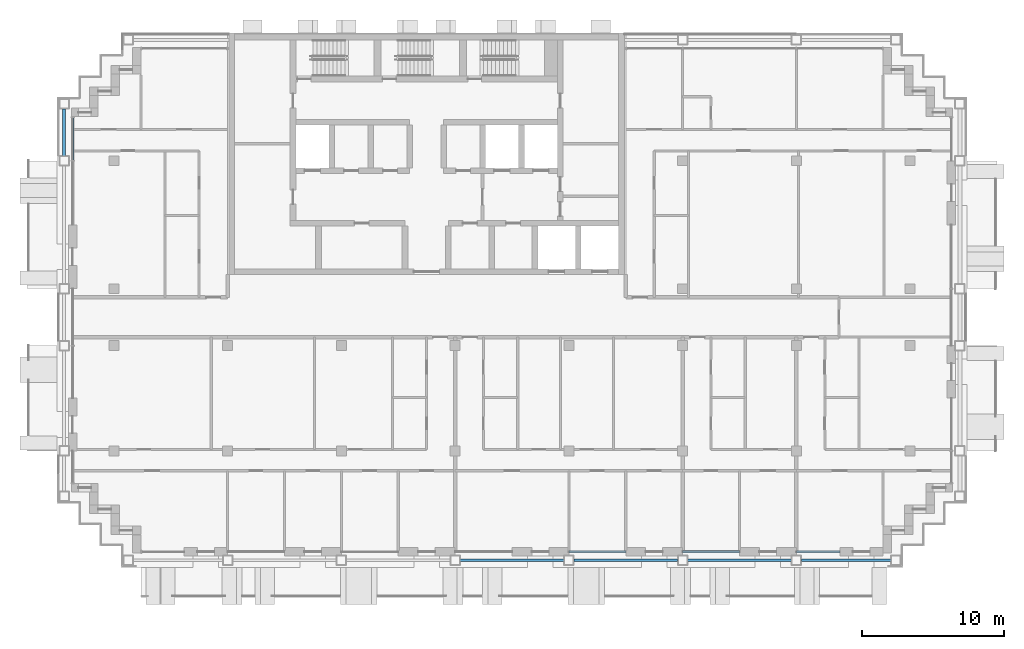
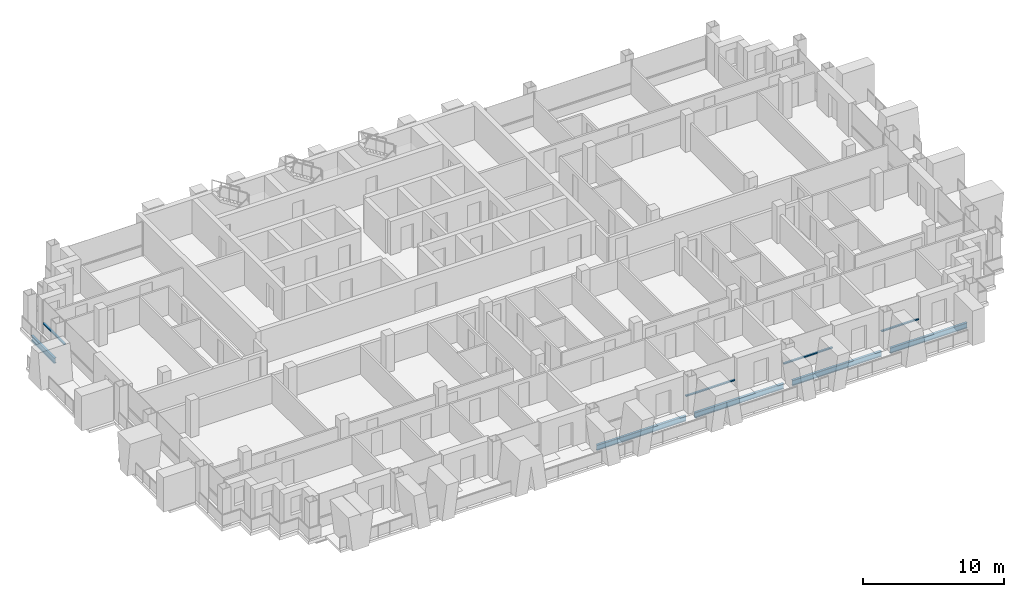
# One storey, part 3 of 16: 5 beams, 4 members, 4 elements without a shape of their own.
"""IFC4 building model written with IfcOpenShell, lengths in metres."""

from ifc_helpers import new_model, si_unit, direction, frame, origin, origin_2d, place, context, subcontext, project, spatial, rectangle, i_section, extrude, material, material_profile, profile_set, type_object, element, aggregate, save


model = new_model("IFC4")

# Units and contexts
model_context = context("Model", 3, precision=1e-05, world=origin(), true_north=direction((0.0, 1.0)))
body_context = subcontext(model_context, "Body", "Model", "MODEL_VIEW")
ifc_project = project(units=[si_unit("LENGTHUNIT", "METRE"), si_unit("AREAUNIT", "SQUARE_METRE"), si_unit("VOLUMEUNIT", "CUBIC_METRE"), si_unit("PLANEANGLEUNIT", "RADIAN"), si_unit("MASSUNIT", "GRAM", prefix="KILO")], contexts=[model_context])

# Site, building, storey
site_placement = place(None, origin())
site = spatial("IfcSite", under=ifc_project, at=site_placement, CompositionType="ELEMENT")
building_placement = place(site_placement, origin())
building = spatial("IfcBuilding", under=site, at=building_placement, Name="Vidyagriha Tower", CompositionType="ELEMENT")
storey_placement = place(building_placement, frame((0.0, 0.0, 174.89990234375)))
storey = spatial("IfcBuildingStorey", under=building, at=storey_placement, Name="L45", CompositionType="ELEMENT", Elevation=174.89990234375)

# Beams
ifc_material_1 = material(Name="Steel ASTM A992 Grade 50", Category="steel")
ifc_material_profile_1 = material_profile(ifc_material_1, i_section(OverallWidth=0.19189453125, OverallDepth=0.46240234375, WebThickness=0.010498046875, FlangeThickness=0.017578125, at=origin_2d()), Name="W18X60")
ifc_profile_set_1 = profile_set([ifc_material_profile_1], Name="Steel ASTM A992 Grade 50")
beam_type = type_object("IfcBeamType", Name="Edge beam W18X60", PredefinedType="SPANDREL", material=ifc_profile_set_1)
for number, where, z_axis, x_axis, name in (
    (1, (2.35009765625, -17.10009765625, -0.510986328125), (1.0, 0.0, 0.0), (0.0, 1.0, 0.0), "st-beam-L45-S04"),
    (2, (10.35009765625, -17.10009765625, -0.510986328125), (1.0, 0.0, 0.0), (0.0, 1.0, 0.0), "st-beam-L45-S05"),
    (3, (18.35009765625, -17.10009765625, -0.510986328125), (1.0, 0.0, 0.0), (0.0, 1.0, 0.0), "st-beam-L45-S06"),
):
    element("IfcBeam", number, at=place(storey_placement, frame(where, z_axis=z_axis, x_axis=x_axis)), inside=storey, type_object=beam_type, Name=name, PredefinedType="SPANDREL", context=body_context, shape_type="SweptSolid", body=[
        extrude(i_section(OverallWidth=0.19189453125, OverallDepth=0.46240234375, WebThickness=0.010498046875, FlangeThickness=0.017578125, at=origin_2d()), origin(), (0.0, 0.0, 1.0), 7.2998046875),
    ])
beam_1_placement = place(storey_placement, frame((26.35009765625, -17.10009765625, -0.510986328125), z_axis=(1.0, 0.0, 0.0), x_axis=(0.0, 1.0, 0.0)))
element("IfcBeam", 4, at=beam_1_placement, inside=storey, type_object=beam_type, Name="st-beam-L45-S07", PredefinedType="SPANDREL", context=body_context, shape_type="SweptSolid", body=[
    extrude(i_section(OverallWidth=0.19189453125, OverallDepth=0.46240234375, WebThickness=0.010498046875, FlangeThickness=0.017578125, at=origin_2d()), origin(), (0.0, 0.0, 1.0), 6.2998046875),
])
beam_2_placement = place(storey_placement, frame((-25.5, 11.35009765625, -0.510986328125), z_axis=(0.0, 1.0, 0.0), x_axis=(-1.0, 0.0, 0.0)))
element("IfcBeam", 5, at=beam_2_placement, inside=storey, type_object=beam_type, Name="st-beam-L45-W12", PredefinedType="SPANDREL", context=body_context, shape_type="SweptSolid", body=[
    extrude(i_section(OverallWidth=0.19189453125, OverallDepth=0.46240234375, WebThickness=0.010498046875, FlangeThickness=0.017578125, at=origin_2d()), origin(), (0.0, 0.0, 1.0), 3.2998046875),
])

# Curtain wall, member
ifc_material_2 = material(Name="Aluminium and glass curtain wall", Category="aluminium")
curtain_wall_type = type_object("IfcCurtainWallType", Name="Dwelling skin unitised curtain wall", PredefinedType="USERDEFINED", material=ifc_material_2)
curtain_wall_1_placement = place(storey_placement, origin())
curtain_wall_1 = element("IfcCurtainWall", 6, at=curtain_wall_1_placement, inside=storey, type_object=curtain_wall_type, Name="CW1 dwelling skin", ObjectType="UNITISED", PredefinedType="USERDEFINED")
ifc_material_3 = material(Name="Aluminium black anodised", Category="aluminium")
ifc_material_profile_2 = material_profile(ifc_material_3, rectangle(XDim=0.159912109375, YDim=0.10009765625, at=origin_2d()), Name="Transom 100x160 black aluminium")
ifc_profile_set_2 = profile_set([ifc_material_profile_2], Name="Aluminium black anodised")
member_type = type_object("IfcMemberType", Name="Transom 100x160 black aluminium", PredefinedType="USERDEFINED", material=ifc_profile_set_2)
member_1_placement = place(storey_placement, frame((-24.89990234375, 14.030029296875, 0.900146484375), z_axis=(0.0, -1.0, 0.0), x_axis=(1.0, 0.0, 0.0)))
member_1 = element("IfcMember", 7, at=member_1_placement, type_object=member_type, Name="CW1 transom 1.1", ObjectType="TRANSOM", PredefinedType="USERDEFINED", context=body_context, shape_type="SweptSolid", body=[
    extrude(rectangle(XDim=0.159912109375, YDim=0.10009765625, at=origin_2d()), origin(), (0.0, 0.0, 1.0), 2.9951171875),
])
aggregate(curtain_wall_1, [member_1])

curtain_wall_2_placement = place(storey_placement, origin())
curtain_wall_2 = element("IfcCurtainWall", 8, at=curtain_wall_2_placement, inside=storey, type_object=curtain_wall_type, Name="CW1 dwelling skin", ObjectType="UNITISED", PredefinedType="USERDEFINED")
member_2_placement = place(storey_placement, frame((10.0, -16.5, 0.900146484375), z_axis=(1.0, 0.0, 0.0), x_axis=(0.0, 1.0, 0.0)))
member_2 = element("IfcMember", 9, at=member_2_placement, type_object=member_type, Name="CW1 transom 1.1", ObjectType="TRANSOM", PredefinedType="USERDEFINED", context=body_context, shape_type="SweptSolid", body=[
    extrude(rectangle(XDim=0.159912109375, YDim=0.10009765625, at=origin_2d()), origin(), (0.0, 0.0, 1.0), 4.0),
])
aggregate(curtain_wall_2, [member_2])

curtain_wall_3_placement = place(storey_placement, origin())
curtain_wall_3 = element("IfcCurtainWall", 10, at=curtain_wall_3_placement, inside=storey, type_object=curtain_wall_type, Name="CW1 dwelling skin", ObjectType="UNITISED", PredefinedType="USERDEFINED")
member_3_placement = place(storey_placement, frame((18.0, -16.5, 0.900146484375), z_axis=(1.0, 0.0, 0.0), x_axis=(0.0, 1.0, 0.0)))
member_3 = element("IfcMember", 11, at=member_3_placement, type_object=member_type, Name="CW1 transom 1.1", ObjectType="TRANSOM", PredefinedType="USERDEFINED", context=body_context, shape_type="SweptSolid", body=[
    extrude(rectangle(XDim=0.159912109375, YDim=0.10009765625, at=origin_2d()), origin(), (0.0, 0.0, 1.0), 4.0),
])
aggregate(curtain_wall_3, [member_3])

curtain_wall_4_placement = place(storey_placement, origin())
curtain_wall_4 = element("IfcCurtainWall", 12, at=curtain_wall_4_placement, inside=storey, type_object=curtain_wall_type, Name="CW1 dwelling skin", ObjectType="UNITISED", PredefinedType="USERDEFINED")
member_4_placement = place(storey_placement, frame((26.0, -16.5, 0.900146484375), z_axis=(1.0, 0.0, 0.0), x_axis=(0.0, 1.0, 0.0)))
member_4 = element("IfcMember", 13, at=member_4_placement, type_object=member_type, Name="CW1 transom 1.1", ObjectType="TRANSOM", PredefinedType="USERDEFINED", context=body_context, shape_type="SweptSolid", body=[
    extrude(rectangle(XDim=0.159912109375, YDim=0.10009765625, at=origin_2d()), origin(), (0.0, 0.0, 1.0), 3.050048828125),
])
aggregate(curtain_wall_4, [member_4])

save(model, "model.ifc")
